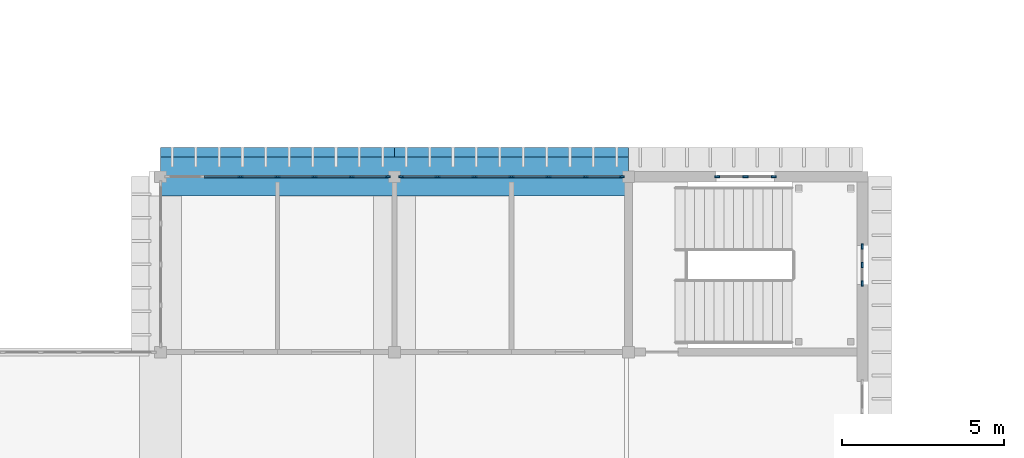
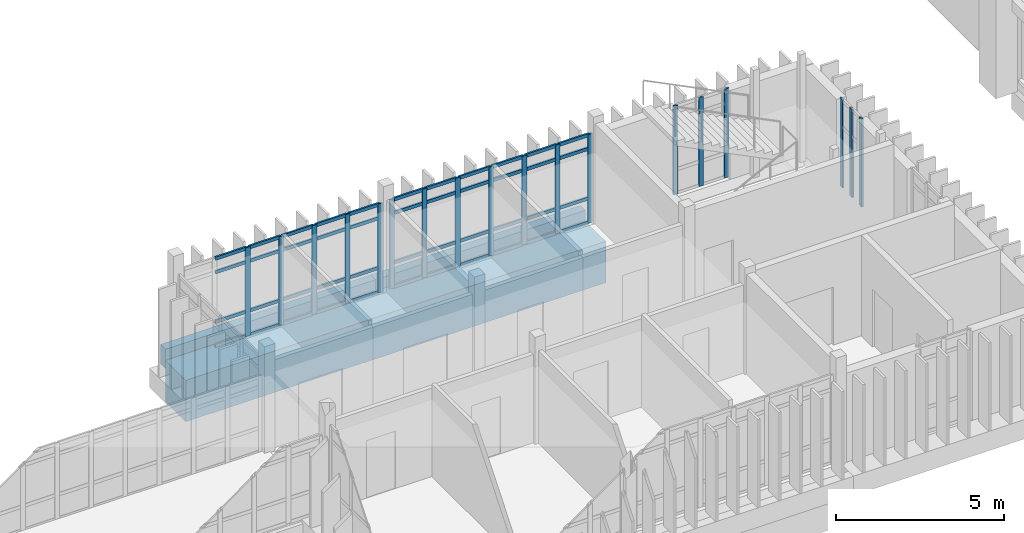
# One storey, part 18 of 69: 64 members, 1 beam, 4 elements without a shape of their own.
"""IFC4 building model written with IfcOpenShell, lengths in metres."""

from ifc_helpers import new_model, si_unit, direction, frame, origin, origin_2d, place, context, subcontext, project, spatial, rectangle, extrude, material, layer, layer_set, material_profile, profile_set, type_object, element, aggregate, save


model = new_model("IFC4")

# Units and contexts
model_context = context("Model", 3, precision=1e-05, world=origin(), true_north=direction((0.0, 1.0)))
body_context = subcontext(model_context, "Body", "Model", "MODEL_VIEW")
ifc_project = project(units=[si_unit("LENGTHUNIT", "METRE"), si_unit("AREAUNIT", "SQUARE_METRE"), si_unit("VOLUMEUNIT", "CUBIC_METRE"), si_unit("PLANEANGLEUNIT", "RADIAN"), si_unit("MASSUNIT", "GRAM", prefix="KILO")], contexts=[model_context])

# Site, building, storey
site_placement = place(None, origin())
site = spatial("IfcSite", under=ifc_project, at=site_placement, CompositionType="ELEMENT")
building_placement = place(site_placement, origin())
building = spatial("IfcBuilding", under=site, at=building_placement, Name="Mazhai Court Health Centre", CompositionType="ELEMENT")
storey_placement = place(building_placement, frame((0.0, 0.0, 6.300048828125)))
storey = spatial("IfcBuildingStorey", under=building, at=storey_placement, Name="L01", CompositionType="ELEMENT", Elevation=6.300048828125)

# Curtain wall, members
ifc_material_1 = material(Name="Teak timber frame, glazed", Category="wood")
ifc_layer_1 = layer(ifc_material_1, 0.10009765625)
ifc_layer_set_1 = layer_set([ifc_layer_1], Name="CURTAIN WALL TIMBER 900")
curtain_wall_type_1 = type_object("IfcCurtainWallType", Name="CURTAIN WALL TIMBER 900", PredefinedType="NOTDEFINED", material=ifc_layer_set_1)
curtain_wall_1_placement = place(storey_placement, origin())
curtain_wall_1 = element("IfcCurtainWall", 1, at=curtain_wall_1_placement, inside=storey, type_object=curtain_wall_type_1, Name="CW-V4-L01-B7", PredefinedType="NOTDEFINED")
ifc_material_2 = material(Name="Teak timber", Category="wood")
ifc_material_profile_1 = material_profile(ifc_material_2, rectangle(XDim=0.06005859375, YDim=0.159912109375, at=origin_2d()), Name="CW MULLION 60x160")
ifc_profile_set_1 = profile_set([ifc_material_profile_1], Name="Teak timber")
member_type_1 = type_object("IfcMemberType", Name="CW MULLION 60x160", PredefinedType="MULLION", material=ifc_profile_set_1)
member_1_placement = place(storey_placement, frame((124.1298828125, 27.800048828125, 0.0), z_axis=(0.0, 0.0, 1.0), x_axis=(0.0, 1.0, 0.0)))
member_1 = element("IfcMember", 2, at=member_1_placement, type_object=member_type_1, Name="CW mullion 1", PredefinedType="MULLION", context=body_context, shape_type="SweptSolid", body=[
    extrude(rectangle(XDim=0.06005859375, YDim=0.159912109375, at=origin_2d()), origin(), (0.0, 0.0, 1.0), 3.219970703125),
])
member_2_placement = place(storey_placement, frame((125.0, 27.800048828125, 0.0), z_axis=(0.0, 0.0, 1.0), x_axis=(0.0, 1.0, 0.0)))
member_2 = element("IfcMember", 3, at=member_2_placement, type_object=member_type_1, Name="CW mullion 2", PredefinedType="MULLION", context=body_context, shape_type="SweptSolid", body=[
    extrude(rectangle(XDim=0.06005859375, YDim=0.159912109375, at=origin_2d()), origin(), (0.0, 0.0, 1.0), 3.219970703125),
])
member_3_placement = place(storey_placement, frame((125.8701171875, 27.800048828125, 0.0), z_axis=(0.0, 0.0, 1.0), x_axis=(0.0, 1.0, 0.0)))
member_3 = element("IfcMember", 4, at=member_3_placement, type_object=member_type_1, Name="CW mullion 3", PredefinedType="MULLION", context=body_context, shape_type="SweptSolid", body=[
    extrude(rectangle(XDim=0.06005859375, YDim=0.159912109375, at=origin_2d()), origin(), (0.0, 0.0, 1.0), 3.219970703125),
])
aggregate(curtain_wall_1, [member_1, member_2, member_3])

ifc_material_3 = material(Name="Teak timber frame, glazed", Category="wood")
ifc_layer_2 = layer(ifc_material_3, 0.10009765625)
ifc_layer_set_2 = layer_set([ifc_layer_2], Name="CURTAIN WALL TIMBER 600")
curtain_wall_type_2 = type_object("IfcCurtainWallType", Name="CURTAIN WALL TIMBER 600", PredefinedType="NOTDEFINED", material=ifc_layer_set_2)
curtain_wall_2_placement = place(storey_placement, origin())
curtain_wall_2 = element("IfcCurtainWall", 5, at=curtain_wall_2_placement, inside=storey, type_object=curtain_wall_type_2, Name="CW-V4-L01-ESTAIR1", PredefinedType="NOTDEFINED")
member_4_placement = place(storey_placement, frame((128.60009765625, 25.64990234375, 0.0), z_axis=(0.0, 0.0, 1.0), x_axis=(1.0, 0.0, 0.0)))
member_4 = element("IfcMember", 6, at=member_4_placement, type_object=member_type_1, Name="CW mullion 1", PredefinedType="MULLION", context=body_context, shape_type="SweptSolid", body=[
    extrude(rectangle(XDim=0.06005859375, YDim=0.159912109375, at=origin_2d()), origin(), (0.0, 0.0, 1.0), 3.199951171875),
])
member_5_placement = place(storey_placement, frame((128.60009765625, 25.080078125, 0.0), z_axis=(0.0, 0.0, 1.0), x_axis=(1.0, 0.0, 0.0)))
member_5 = element("IfcMember", 7, at=member_5_placement, type_object=member_type_1, Name="CW mullion 2", PredefinedType="MULLION", context=body_context, shape_type="SweptSolid", body=[
    extrude(rectangle(XDim=0.06005859375, YDim=0.159912109375, at=origin_2d()), origin(), (0.0, 0.0, 1.0), 3.199951171875),
])
member_6_placement = place(storey_placement, frame((128.60009765625, 24.510009765625, 0.0), z_axis=(0.0, 0.0, 1.0), x_axis=(1.0, 0.0, 0.0)))
member_6 = element("IfcMember", 8, at=member_6_placement, type_object=member_type_1, Name="CW mullion 3", PredefinedType="MULLION", context=body_context, shape_type="SweptSolid", body=[
    extrude(rectangle(XDim=0.06005859375, YDim=0.159912109375, at=origin_2d()), origin(), (0.0, 0.0, 1.0), 3.199951171875),
])
aggregate(curtain_wall_2, [member_4, member_5, member_6])

ifc_material_4 = material(Name="Teak timber frame, glazed", Category="wood")
ifc_layer_3 = layer(ifc_material_4, 0.10009765625)
ifc_layer_set_3 = layer_set([ifc_layer_3], Name="CURTAIN WALL TIMBER 1200")
curtain_wall_type_3 = type_object("IfcCurtainWallType", Name="CURTAIN WALL TIMBER 1200", PredefinedType="NOTDEFINED", material=ifc_layer_set_3)
curtain_wall_3_placement = place(storey_placement, origin())
curtain_wall_3 = element("IfcCurtainWall", 9, at=curtain_wall_3_placement, inside=storey, type_object=curtain_wall_type_3, Name="CW-V4-L01-B5", PredefinedType="NOTDEFINED")
member_7_placement = place(storey_placement, frame((109.4599609375, 27.800048828125, 0.0), z_axis=(0.0, 0.0, 1.0), x_axis=(0.0, 1.0, 0.0)))
member_7 = element("IfcMember", 10, at=member_7_placement, type_object=member_type_1, Name="CW mullion 3", PredefinedType="MULLION", context=body_context, shape_type="SweptSolid", body=[
    extrude(rectangle(XDim=0.06005859375, YDim=0.159912109375, at=origin_2d()), origin(), (0.0, 0.0, 1.0), 3.219970703125),
])
member_8_placement = place(storey_placement, frame((110.60009765625, 27.800048828125, 0.0), z_axis=(0.0, 0.0, 1.0), x_axis=(0.0, 1.0, 0.0)))
member_8 = element("IfcMember", 11, at=member_8_placement, type_object=member_type_1, Name="CW mullion 4", PredefinedType="MULLION", context=body_context, shape_type="SweptSolid", body=[
    extrude(rectangle(XDim=0.06005859375, YDim=0.159912109375, at=origin_2d()), origin(), (0.0, 0.0, 1.0), 3.219970703125),
])
member_9_placement = place(storey_placement, frame((111.739990234375, 27.800048828125, 0.0), z_axis=(0.0, 0.0, 1.0), x_axis=(0.0, 1.0, 0.0)))
member_9 = element("IfcMember", 12, at=member_9_placement, type_object=member_type_1, Name="CW mullion 5", PredefinedType="MULLION", context=body_context, shape_type="SweptSolid", body=[
    extrude(rectangle(XDim=0.06005859375, YDim=0.159912109375, at=origin_2d()), origin(), (0.0, 0.0, 1.0), 3.219970703125),
])
member_10_placement = place(storey_placement, frame((112.8798828125, 27.800048828125, 0.0), z_axis=(0.0, 0.0, 1.0), x_axis=(0.0, 1.0, 0.0)))
member_10 = element("IfcMember", 13, at=member_10_placement, type_object=member_type_1, Name="CW mullion 6", PredefinedType="MULLION", context=body_context, shape_type="SweptSolid", body=[
    extrude(rectangle(XDim=0.06005859375, YDim=0.159912109375, at=origin_2d()), origin(), (0.0, 0.0, 1.0), 3.219970703125),
])
member_11_placement = place(storey_placement, frame((113.989990234375, 27.800048828125, 0.0), z_axis=(0.0, 0.0, 1.0), x_axis=(0.0, 1.0, 0.0)))
member_11 = element("IfcMember", 14, at=member_11_placement, type_object=member_type_1, Name="CW mullion 7", PredefinedType="MULLION", context=body_context, shape_type="SweptSolid", body=[
    extrude(rectangle(XDim=0.06005859375, YDim=0.159912109375, at=origin_2d()), origin(), (0.0, 0.0, 1.0), 3.219970703125),
])

curtain_wall_4_placement = place(storey_placement, origin())
curtain_wall_4 = element("IfcCurtainWall", 15, at=curtain_wall_4_placement, inside=storey, type_object=curtain_wall_type_3, Name="CW-V4-L01-B6", PredefinedType="NOTDEFINED")
member_12_placement = place(storey_placement, frame((114.409912109375, 27.800048828125, 0.0), z_axis=(0.0, 0.0, 1.0), x_axis=(0.0, 1.0, 0.0)))
member_12 = element("IfcMember", 16, at=member_12_placement, type_object=member_type_1, Name="CW mullion 1", PredefinedType="MULLION", context=body_context, shape_type="SweptSolid", body=[
    extrude(rectangle(XDim=0.06005859375, YDim=0.159912109375, at=origin_2d()), origin(), (0.0, 0.0, 1.0), 3.219970703125),
])
member_13_placement = place(storey_placement, frame((115.52001953125, 27.800048828125, 0.0), z_axis=(0.0, 0.0, 1.0), x_axis=(0.0, 1.0, 0.0)))
member_13 = element("IfcMember", 17, at=member_13_placement, type_object=member_type_1, Name="CW mullion 2", PredefinedType="MULLION", context=body_context, shape_type="SweptSolid", body=[
    extrude(rectangle(XDim=0.06005859375, YDim=0.159912109375, at=origin_2d()), origin(), (0.0, 0.0, 1.0), 3.219970703125),
])
member_14_placement = place(storey_placement, frame((116.659912109375, 27.800048828125, 0.0), z_axis=(0.0, 0.0, 1.0), x_axis=(0.0, 1.0, 0.0)))
member_14 = element("IfcMember", 18, at=member_14_placement, type_object=member_type_1, Name="CW mullion 3", PredefinedType="MULLION", context=body_context, shape_type="SweptSolid", body=[
    extrude(rectangle(XDim=0.06005859375, YDim=0.159912109375, at=origin_2d()), origin(), (0.0, 0.0, 1.0), 3.219970703125),
])
member_15_placement = place(storey_placement, frame((117.800048828125, 27.800048828125, 0.0), z_axis=(0.0, 0.0, 1.0), x_axis=(0.0, 1.0, 0.0)))
member_15 = element("IfcMember", 19, at=member_15_placement, type_object=member_type_1, Name="CW mullion 4", PredefinedType="MULLION", context=body_context, shape_type="SweptSolid", body=[
    extrude(rectangle(XDim=0.06005859375, YDim=0.159912109375, at=origin_2d()), origin(), (0.0, 0.0, 1.0), 3.219970703125),
])
member_16_placement = place(storey_placement, frame((118.93994140625, 27.800048828125, 0.0), z_axis=(0.0, 0.0, 1.0), x_axis=(0.0, 1.0, 0.0)))
member_16 = element("IfcMember", 20, at=member_16_placement, type_object=member_type_1, Name="CW mullion 5", PredefinedType="MULLION", context=body_context, shape_type="SweptSolid", body=[
    extrude(rectangle(XDim=0.06005859375, YDim=0.159912109375, at=origin_2d()), origin(), (0.0, 0.0, 1.0), 3.219970703125),
])
member_17_placement = place(storey_placement, frame((120.080078125, 27.800048828125, 0.0), z_axis=(0.0, 0.0, 1.0), x_axis=(0.0, 1.0, 0.0)))
member_17 = element("IfcMember", 21, at=member_17_placement, type_object=member_type_1, Name="CW mullion 6", PredefinedType="MULLION", context=body_context, shape_type="SweptSolid", body=[
    extrude(rectangle(XDim=0.06005859375, YDim=0.159912109375, at=origin_2d()), origin(), (0.0, 0.0, 1.0), 3.219970703125),
])
member_18_placement = place(storey_placement, frame((121.18994140625, 27.800048828125, 0.0), z_axis=(0.0, 0.0, 1.0), x_axis=(0.0, 1.0, 0.0)))
member_18 = element("IfcMember", 22, at=member_18_placement, type_object=member_type_1, Name="CW mullion 7", PredefinedType="MULLION", context=body_context, shape_type="SweptSolid", body=[
    extrude(rectangle(XDim=0.06005859375, YDim=0.159912109375, at=origin_2d()), origin(), (0.0, 0.0, 1.0), 3.219970703125),
])

# Member
ifc_material_5 = material(Name="Teak timber", Category="wood")
ifc_material_profile_2 = material_profile(ifc_material_5, rectangle(XDim=0.06005859375, YDim=0.1201171875, at=origin_2d()), Name="CW TRANSOM 60x120")
ifc_profile_set_2 = profile_set([ifc_material_profile_2], Name="Teak timber")
member_type_2 = type_object("IfcMemberType", Name="CW TRANSOM 60x120", PredefinedType="USERDEFINED", material=ifc_profile_set_2)
member_19_placement = place(storey_placement, frame((108.35009765625, 27.800048828125, 0.030029296875), z_axis=(1.0, 0.0, 0.0), x_axis=(0.0, 1.0, 0.0)))
member_19 = element("IfcMember", 23, at=member_19_placement, type_object=member_type_2, Name="CW transom 2.1", ObjectType="TRANSOM", PredefinedType="USERDEFINED", context=body_context, shape_type="SweptSolid", body=[
    extrude(rectangle(XDim=0.06005859375, YDim=0.1201171875, at=origin_2d()), origin(), (0.0, 0.0, 1.0), 1.079833984375),
])

member_20_placement = place(storey_placement, frame((108.35009765625, 27.800048828125, 0.89990234375), z_axis=(1.0, 0.0, 0.0), x_axis=(0.0, 1.0, 0.0)))
member_20 = element("IfcMember", 24, at=member_20_placement, type_object=member_type_2, Name="CW transom 2.2", ObjectType="TRANSOM", PredefinedType="USERDEFINED", context=body_context, shape_type="SweptSolid", body=[
    extrude(rectangle(XDim=0.06005859375, YDim=0.1201171875, at=origin_2d()), origin(), (0.0, 0.0, 1.0), 1.079833984375),
])

member_21_placement = place(storey_placement, frame((108.35009765625, 27.800048828125, 2.699951171875), z_axis=(1.0, 0.0, 0.0), x_axis=(0.0, 1.0, 0.0)))
member_21 = element("IfcMember", 25, at=member_21_placement, type_object=member_type_2, Name="CW transom 2.3", ObjectType="TRANSOM", PredefinedType="USERDEFINED", context=body_context, shape_type="SweptSolid", body=[
    extrude(rectangle(XDim=0.06005859375, YDim=0.1201171875, at=origin_2d()), origin(), (0.0, 0.0, 1.0), 1.079833984375),
])

member_22_placement = place(storey_placement, frame((108.35009765625, 27.800048828125, 3.18994140625), z_axis=(1.0, 0.0, 0.0), x_axis=(0.0, 1.0, 0.0)))
member_22 = element("IfcMember", 26, at=member_22_placement, type_object=member_type_2, Name="CW transom 2.4", ObjectType="TRANSOM", PredefinedType="USERDEFINED", context=body_context, shape_type="SweptSolid", body=[
    extrude(rectangle(XDim=0.06005859375, YDim=0.1201171875, at=origin_2d()), origin(), (0.0, 0.0, 1.0), 1.079833984375),
])

member_23_placement = place(storey_placement, frame((109.489990234375, 27.800048828125, 0.030029296875), z_axis=(1.0, 0.0, 0.0), x_axis=(0.0, 1.0, 0.0)))
member_23 = element("IfcMember", 27, at=member_23_placement, type_object=member_type_2, Name="CW transom 3.1", ObjectType="TRANSOM", PredefinedType="USERDEFINED", context=body_context, shape_type="SweptSolid", body=[
    extrude(rectangle(XDim=0.06005859375, YDim=0.1201171875, at=origin_2d()), origin(), (0.0, 0.0, 1.0), 1.080078125),
])

member_24_placement = place(storey_placement, frame((109.489990234375, 27.800048828125, 0.89990234375), z_axis=(1.0, 0.0, 0.0), x_axis=(0.0, 1.0, 0.0)))
member_24 = element("IfcMember", 28, at=member_24_placement, type_object=member_type_2, Name="CW transom 3.2", ObjectType="TRANSOM", PredefinedType="USERDEFINED", context=body_context, shape_type="SweptSolid", body=[
    extrude(rectangle(XDim=0.06005859375, YDim=0.1201171875, at=origin_2d()), origin(), (0.0, 0.0, 1.0), 1.080078125),
])

member_25_placement = place(storey_placement, frame((109.489990234375, 27.800048828125, 2.699951171875), z_axis=(1.0, 0.0, 0.0), x_axis=(0.0, 1.0, 0.0)))
member_25 = element("IfcMember", 29, at=member_25_placement, type_object=member_type_2, Name="CW transom 3.3", ObjectType="TRANSOM", PredefinedType="USERDEFINED", context=body_context, shape_type="SweptSolid", body=[
    extrude(rectangle(XDim=0.06005859375, YDim=0.1201171875, at=origin_2d()), origin(), (0.0, 0.0, 1.0), 1.080078125),
])

member_26_placement = place(storey_placement, frame((109.489990234375, 27.800048828125, 3.18994140625), z_axis=(1.0, 0.0, 0.0), x_axis=(0.0, 1.0, 0.0)))
member_26 = element("IfcMember", 30, at=member_26_placement, type_object=member_type_2, Name="CW transom 3.4", ObjectType="TRANSOM", PredefinedType="USERDEFINED", context=body_context, shape_type="SweptSolid", body=[
    extrude(rectangle(XDim=0.06005859375, YDim=0.1201171875, at=origin_2d()), origin(), (0.0, 0.0, 1.0), 1.080078125),
])

member_27_placement = place(storey_placement, frame((110.6298828125, 27.800048828125, 0.030029296875), z_axis=(1.0, 0.0, 0.0), x_axis=(0.0, 1.0, 0.0)))
member_27 = element("IfcMember", 31, at=member_27_placement, type_object=member_type_2, Name="CW transom 4.1", ObjectType="TRANSOM", PredefinedType="USERDEFINED", context=body_context, shape_type="SweptSolid", body=[
    extrude(rectangle(XDim=0.06005859375, YDim=0.1201171875, at=origin_2d()), origin(), (0.0, 0.0, 1.0), 1.080078125),
])

member_28_placement = place(storey_placement, frame((110.6298828125, 27.800048828125, 0.89990234375), z_axis=(1.0, 0.0, 0.0), x_axis=(0.0, 1.0, 0.0)))
member_28 = element("IfcMember", 32, at=member_28_placement, type_object=member_type_2, Name="CW transom 4.2", ObjectType="TRANSOM", PredefinedType="USERDEFINED", context=body_context, shape_type="SweptSolid", body=[
    extrude(rectangle(XDim=0.06005859375, YDim=0.1201171875, at=origin_2d()), origin(), (0.0, 0.0, 1.0), 1.080078125),
])

member_29_placement = place(storey_placement, frame((110.6298828125, 27.800048828125, 2.699951171875), z_axis=(1.0, 0.0, 0.0), x_axis=(0.0, 1.0, 0.0)))
member_29 = element("IfcMember", 33, at=member_29_placement, type_object=member_type_2, Name="CW transom 4.3", ObjectType="TRANSOM", PredefinedType="USERDEFINED", context=body_context, shape_type="SweptSolid", body=[
    extrude(rectangle(XDim=0.06005859375, YDim=0.1201171875, at=origin_2d()), origin(), (0.0, 0.0, 1.0), 1.080078125),
])

member_30_placement = place(storey_placement, frame((110.6298828125, 27.800048828125, 3.18994140625), z_axis=(1.0, 0.0, 0.0), x_axis=(0.0, 1.0, 0.0)))
member_30 = element("IfcMember", 34, at=member_30_placement, type_object=member_type_2, Name="CW transom 4.4", ObjectType="TRANSOM", PredefinedType="USERDEFINED", context=body_context, shape_type="SweptSolid", body=[
    extrude(rectangle(XDim=0.06005859375, YDim=0.1201171875, at=origin_2d()), origin(), (0.0, 0.0, 1.0), 1.080078125),
])

member_31_placement = place(storey_placement, frame((111.77001953125, 27.800048828125, 0.030029296875), z_axis=(1.0, 0.0, 0.0), x_axis=(0.0, 1.0, 0.0)))
member_31 = element("IfcMember", 35, at=member_31_placement, type_object=member_type_2, Name="CW transom 5.1", ObjectType="TRANSOM", PredefinedType="USERDEFINED", context=body_context, shape_type="SweptSolid", body=[
    extrude(rectangle(XDim=0.06005859375, YDim=0.1201171875, at=origin_2d()), origin(), (0.0, 0.0, 1.0), 1.080078125),
])

member_32_placement = place(storey_placement, frame((111.77001953125, 27.800048828125, 0.89990234375), z_axis=(1.0, 0.0, 0.0), x_axis=(0.0, 1.0, 0.0)))
member_32 = element("IfcMember", 36, at=member_32_placement, type_object=member_type_2, Name="CW transom 5.2", ObjectType="TRANSOM", PredefinedType="USERDEFINED", context=body_context, shape_type="SweptSolid", body=[
    extrude(rectangle(XDim=0.06005859375, YDim=0.1201171875, at=origin_2d()), origin(), (0.0, 0.0, 1.0), 1.080078125),
])

member_33_placement = place(storey_placement, frame((111.77001953125, 27.800048828125, 2.699951171875), z_axis=(1.0, 0.0, 0.0), x_axis=(0.0, 1.0, 0.0)))
member_33 = element("IfcMember", 37, at=member_33_placement, type_object=member_type_2, Name="CW transom 5.3", ObjectType="TRANSOM", PredefinedType="USERDEFINED", context=body_context, shape_type="SweptSolid", body=[
    extrude(rectangle(XDim=0.06005859375, YDim=0.1201171875, at=origin_2d()), origin(), (0.0, 0.0, 1.0), 1.080078125),
])

member_34_placement = place(storey_placement, frame((111.77001953125, 27.800048828125, 3.18994140625), z_axis=(1.0, 0.0, 0.0), x_axis=(0.0, 1.0, 0.0)))
member_34 = element("IfcMember", 38, at=member_34_placement, type_object=member_type_2, Name="CW transom 5.4", ObjectType="TRANSOM", PredefinedType="USERDEFINED", context=body_context, shape_type="SweptSolid", body=[
    extrude(rectangle(XDim=0.06005859375, YDim=0.1201171875, at=origin_2d()), origin(), (0.0, 0.0, 1.0), 1.080078125),
])

member_35_placement = place(storey_placement, frame((112.909912109375, 27.800048828125, 0.030029296875), z_axis=(1.0, 0.0, 0.0), x_axis=(0.0, 1.0, 0.0)))
member_35 = element("IfcMember", 39, at=member_35_placement, type_object=member_type_2, Name="CW transom 6.1", ObjectType="TRANSOM", PredefinedType="USERDEFINED", context=body_context, shape_type="SweptSolid", body=[
    extrude(rectangle(XDim=0.06005859375, YDim=0.1201171875, at=origin_2d()), origin(), (0.0, 0.0, 1.0), 1.050048828125),
])

member_36_placement = place(storey_placement, frame((112.909912109375, 27.800048828125, 0.89990234375), z_axis=(1.0, 0.0, 0.0), x_axis=(0.0, 1.0, 0.0)))
member_36 = element("IfcMember", 40, at=member_36_placement, type_object=member_type_2, Name="CW transom 6.2", ObjectType="TRANSOM", PredefinedType="USERDEFINED", context=body_context, shape_type="SweptSolid", body=[
    extrude(rectangle(XDim=0.06005859375, YDim=0.1201171875, at=origin_2d()), origin(), (0.0, 0.0, 1.0), 1.050048828125),
])

member_37_placement = place(storey_placement, frame((112.909912109375, 27.800048828125, 2.699951171875), z_axis=(1.0, 0.0, 0.0), x_axis=(0.0, 1.0, 0.0)))
member_37 = element("IfcMember", 41, at=member_37_placement, type_object=member_type_2, Name="CW transom 6.3", ObjectType="TRANSOM", PredefinedType="USERDEFINED", context=body_context, shape_type="SweptSolid", body=[
    extrude(rectangle(XDim=0.06005859375, YDim=0.1201171875, at=origin_2d()), origin(), (0.0, 0.0, 1.0), 1.050048828125),
])

member_38_placement = place(storey_placement, frame((112.909912109375, 27.800048828125, 3.18994140625), z_axis=(1.0, 0.0, 0.0), x_axis=(0.0, 1.0, 0.0)))
member_38 = element("IfcMember", 42, at=member_38_placement, type_object=member_type_2, Name="CW transom 6.4", ObjectType="TRANSOM", PredefinedType="USERDEFINED", context=body_context, shape_type="SweptSolid", body=[
    extrude(rectangle(XDim=0.06005859375, YDim=0.1201171875, at=origin_2d()), origin(), (0.0, 0.0, 1.0), 1.050048828125),
])

aggregate(curtain_wall_3, [member_7, member_8, member_9, member_10, member_11, member_19, member_20, member_21, member_22, member_23, member_24, member_25, member_26, member_27, member_28, member_29, member_30, member_31, member_32, member_33, member_34, member_35, member_36, member_37, member_38])

member_39_placement = place(storey_placement, frame((114.43994140625, 27.800048828125, 0.030029296875), z_axis=(1.0, 0.0, 0.0), x_axis=(0.0, 1.0, 0.0)))
member_39 = element("IfcMember", 43, at=member_39_placement, type_object=member_type_2, Name="CW transom 1.1", ObjectType="TRANSOM", PredefinedType="USERDEFINED", context=body_context, shape_type="SweptSolid", body=[
    extrude(rectangle(XDim=0.06005859375, YDim=0.1201171875, at=origin_2d()), origin(), (0.0, 0.0, 1.0), 1.050048828125),
])

member_40_placement = place(storey_placement, frame((114.43994140625, 27.800048828125, 0.89990234375), z_axis=(1.0, 0.0, 0.0), x_axis=(0.0, 1.0, 0.0)))
member_40 = element("IfcMember", 44, at=member_40_placement, type_object=member_type_2, Name="CW transom 1.2", ObjectType="TRANSOM", PredefinedType="USERDEFINED", context=body_context, shape_type="SweptSolid", body=[
    extrude(rectangle(XDim=0.06005859375, YDim=0.1201171875, at=origin_2d()), origin(), (0.0, 0.0, 1.0), 1.050048828125),
])

member_41_placement = place(storey_placement, frame((114.43994140625, 27.800048828125, 2.699951171875), z_axis=(1.0, 0.0, 0.0), x_axis=(0.0, 1.0, 0.0)))
member_41 = element("IfcMember", 45, at=member_41_placement, type_object=member_type_2, Name="CW transom 1.3", ObjectType="TRANSOM", PredefinedType="USERDEFINED", context=body_context, shape_type="SweptSolid", body=[
    extrude(rectangle(XDim=0.06005859375, YDim=0.1201171875, at=origin_2d()), origin(), (0.0, 0.0, 1.0), 1.050048828125),
])

member_42_placement = place(storey_placement, frame((114.43994140625, 27.800048828125, 3.18994140625), z_axis=(1.0, 0.0, 0.0), x_axis=(0.0, 1.0, 0.0)))
member_42 = element("IfcMember", 46, at=member_42_placement, type_object=member_type_2, Name="CW transom 1.4", ObjectType="TRANSOM", PredefinedType="USERDEFINED", context=body_context, shape_type="SweptSolid", body=[
    extrude(rectangle(XDim=0.06005859375, YDim=0.1201171875, at=origin_2d()), origin(), (0.0, 0.0, 1.0), 1.050048828125),
])

member_43_placement = place(storey_placement, frame((115.550048828125, 27.800048828125, 0.030029296875), z_axis=(1.0, 0.0, 0.0), x_axis=(0.0, 1.0, 0.0)))
member_43 = element("IfcMember", 47, at=member_43_placement, type_object=member_type_2, Name="CW transom 2.1", ObjectType="TRANSOM", PredefinedType="USERDEFINED", context=body_context, shape_type="SweptSolid", body=[
    extrude(rectangle(XDim=0.06005859375, YDim=0.1201171875, at=origin_2d()), origin(), (0.0, 0.0, 1.0), 1.079833984375),
])

member_44_placement = place(storey_placement, frame((115.550048828125, 27.800048828125, 0.89990234375), z_axis=(1.0, 0.0, 0.0), x_axis=(0.0, 1.0, 0.0)))
member_44 = element("IfcMember", 48, at=member_44_placement, type_object=member_type_2, Name="CW transom 2.2", ObjectType="TRANSOM", PredefinedType="USERDEFINED", context=body_context, shape_type="SweptSolid", body=[
    extrude(rectangle(XDim=0.06005859375, YDim=0.1201171875, at=origin_2d()), origin(), (0.0, 0.0, 1.0), 1.079833984375),
])

member_45_placement = place(storey_placement, frame((115.550048828125, 27.800048828125, 2.699951171875), z_axis=(1.0, 0.0, 0.0), x_axis=(0.0, 1.0, 0.0)))
member_45 = element("IfcMember", 49, at=member_45_placement, type_object=member_type_2, Name="CW transom 2.3", ObjectType="TRANSOM", PredefinedType="USERDEFINED", context=body_context, shape_type="SweptSolid", body=[
    extrude(rectangle(XDim=0.06005859375, YDim=0.1201171875, at=origin_2d()), origin(), (0.0, 0.0, 1.0), 1.079833984375),
])

member_46_placement = place(storey_placement, frame((115.550048828125, 27.800048828125, 3.18994140625), z_axis=(1.0, 0.0, 0.0), x_axis=(0.0, 1.0, 0.0)))
member_46 = element("IfcMember", 50, at=member_46_placement, type_object=member_type_2, Name="CW transom 2.4", ObjectType="TRANSOM", PredefinedType="USERDEFINED", context=body_context, shape_type="SweptSolid", body=[
    extrude(rectangle(XDim=0.06005859375, YDim=0.1201171875, at=origin_2d()), origin(), (0.0, 0.0, 1.0), 1.079833984375),
])

member_47_placement = place(storey_placement, frame((116.68994140625, 27.800048828125, 0.030029296875), z_axis=(1.0, 0.0, 0.0), x_axis=(0.0, 1.0, 0.0)))
member_47 = element("IfcMember", 51, at=member_47_placement, type_object=member_type_2, Name="CW transom 3.1", ObjectType="TRANSOM", PredefinedType="USERDEFINED", context=body_context, shape_type="SweptSolid", body=[
    extrude(rectangle(XDim=0.06005859375, YDim=0.1201171875, at=origin_2d()), origin(), (0.0, 0.0, 1.0), 1.080078125),
])

member_48_placement = place(storey_placement, frame((116.68994140625, 27.800048828125, 0.89990234375), z_axis=(1.0, 0.0, 0.0), x_axis=(0.0, 1.0, 0.0)))
member_48 = element("IfcMember", 52, at=member_48_placement, type_object=member_type_2, Name="CW transom 3.2", ObjectType="TRANSOM", PredefinedType="USERDEFINED", context=body_context, shape_type="SweptSolid", body=[
    extrude(rectangle(XDim=0.06005859375, YDim=0.1201171875, at=origin_2d()), origin(), (0.0, 0.0, 1.0), 1.080078125),
])

member_49_placement = place(storey_placement, frame((116.68994140625, 27.800048828125, 2.699951171875), z_axis=(1.0, 0.0, 0.0), x_axis=(0.0, 1.0, 0.0)))
member_49 = element("IfcMember", 53, at=member_49_placement, type_object=member_type_2, Name="CW transom 3.3", ObjectType="TRANSOM", PredefinedType="USERDEFINED", context=body_context, shape_type="SweptSolid", body=[
    extrude(rectangle(XDim=0.06005859375, YDim=0.1201171875, at=origin_2d()), origin(), (0.0, 0.0, 1.0), 1.080078125),
])

member_50_placement = place(storey_placement, frame((116.68994140625, 27.800048828125, 3.18994140625), z_axis=(1.0, 0.0, 0.0), x_axis=(0.0, 1.0, 0.0)))
member_50 = element("IfcMember", 54, at=member_50_placement, type_object=member_type_2, Name="CW transom 3.4", ObjectType="TRANSOM", PredefinedType="USERDEFINED", context=body_context, shape_type="SweptSolid", body=[
    extrude(rectangle(XDim=0.06005859375, YDim=0.1201171875, at=origin_2d()), origin(), (0.0, 0.0, 1.0), 1.080078125),
])

member_51_placement = place(storey_placement, frame((117.830078125, 27.800048828125, 0.030029296875), z_axis=(1.0, 0.0, 0.0), x_axis=(0.0, 1.0, 0.0)))
member_51 = element("IfcMember", 55, at=member_51_placement, type_object=member_type_2, Name="CW transom 4.1", ObjectType="TRANSOM", PredefinedType="USERDEFINED", context=body_context, shape_type="SweptSolid", body=[
    extrude(rectangle(XDim=0.06005859375, YDim=0.1201171875, at=origin_2d()), origin(), (0.0, 0.0, 1.0), 1.079833984375),
])

member_52_placement = place(storey_placement, frame((117.830078125, 27.800048828125, 0.89990234375), z_axis=(1.0, 0.0, 0.0), x_axis=(0.0, 1.0, 0.0)))
member_52 = element("IfcMember", 56, at=member_52_placement, type_object=member_type_2, Name="CW transom 4.2", ObjectType="TRANSOM", PredefinedType="USERDEFINED", context=body_context, shape_type="SweptSolid", body=[
    extrude(rectangle(XDim=0.06005859375, YDim=0.1201171875, at=origin_2d()), origin(), (0.0, 0.0, 1.0), 1.079833984375),
])

member_53_placement = place(storey_placement, frame((117.830078125, 27.800048828125, 2.699951171875), z_axis=(1.0, 0.0, 0.0), x_axis=(0.0, 1.0, 0.0)))
member_53 = element("IfcMember", 57, at=member_53_placement, type_object=member_type_2, Name="CW transom 4.3", ObjectType="TRANSOM", PredefinedType="USERDEFINED", context=body_context, shape_type="SweptSolid", body=[
    extrude(rectangle(XDim=0.06005859375, YDim=0.1201171875, at=origin_2d()), origin(), (0.0, 0.0, 1.0), 1.079833984375),
])

member_54_placement = place(storey_placement, frame((117.830078125, 27.800048828125, 3.18994140625), z_axis=(1.0, 0.0, 0.0), x_axis=(0.0, 1.0, 0.0)))
member_54 = element("IfcMember", 58, at=member_54_placement, type_object=member_type_2, Name="CW transom 4.4", ObjectType="TRANSOM", PredefinedType="USERDEFINED", context=body_context, shape_type="SweptSolid", body=[
    extrude(rectangle(XDim=0.06005859375, YDim=0.1201171875, at=origin_2d()), origin(), (0.0, 0.0, 1.0), 1.079833984375),
])

member_55_placement = place(storey_placement, frame((118.969970703125, 27.800048828125, 0.030029296875), z_axis=(1.0, 0.0, 0.0), x_axis=(0.0, 1.0, 0.0)))
member_55 = element("IfcMember", 59, at=member_55_placement, type_object=member_type_2, Name="CW transom 5.1", ObjectType="TRANSOM", PredefinedType="USERDEFINED", context=body_context, shape_type="SweptSolid", body=[
    extrude(rectangle(XDim=0.06005859375, YDim=0.1201171875, at=origin_2d()), origin(), (0.0, 0.0, 1.0), 1.080078125),
])

member_56_placement = place(storey_placement, frame((118.969970703125, 27.800048828125, 0.89990234375), z_axis=(1.0, 0.0, 0.0), x_axis=(0.0, 1.0, 0.0)))
member_56 = element("IfcMember", 60, at=member_56_placement, type_object=member_type_2, Name="CW transom 5.2", ObjectType="TRANSOM", PredefinedType="USERDEFINED", context=body_context, shape_type="SweptSolid", body=[
    extrude(rectangle(XDim=0.06005859375, YDim=0.1201171875, at=origin_2d()), origin(), (0.0, 0.0, 1.0), 1.080078125),
])

member_57_placement = place(storey_placement, frame((118.969970703125, 27.800048828125, 2.699951171875), z_axis=(1.0, 0.0, 0.0), x_axis=(0.0, 1.0, 0.0)))
member_57 = element("IfcMember", 61, at=member_57_placement, type_object=member_type_2, Name="CW transom 5.3", ObjectType="TRANSOM", PredefinedType="USERDEFINED", context=body_context, shape_type="SweptSolid", body=[
    extrude(rectangle(XDim=0.06005859375, YDim=0.1201171875, at=origin_2d()), origin(), (0.0, 0.0, 1.0), 1.080078125),
])

member_58_placement = place(storey_placement, frame((118.969970703125, 27.800048828125, 3.18994140625), z_axis=(1.0, 0.0, 0.0), x_axis=(0.0, 1.0, 0.0)))
member_58 = element("IfcMember", 62, at=member_58_placement, type_object=member_type_2, Name="CW transom 5.4", ObjectType="TRANSOM", PredefinedType="USERDEFINED", context=body_context, shape_type="SweptSolid", body=[
    extrude(rectangle(XDim=0.06005859375, YDim=0.1201171875, at=origin_2d()), origin(), (0.0, 0.0, 1.0), 1.080078125),
])

member_59_placement = place(storey_placement, frame((120.110107421875, 27.800048828125, 0.030029296875), z_axis=(1.0, 0.0, 0.0), x_axis=(0.0, 1.0, 0.0)))
member_59 = element("IfcMember", 63, at=member_59_placement, type_object=member_type_2, Name="CW transom 6.1", ObjectType="TRANSOM", PredefinedType="USERDEFINED", context=body_context, shape_type="SweptSolid", body=[
    extrude(rectangle(XDim=0.06005859375, YDim=0.1201171875, at=origin_2d()), origin(), (0.0, 0.0, 1.0), 1.0498046875),
])

member_60_placement = place(storey_placement, frame((120.110107421875, 27.800048828125, 0.89990234375), z_axis=(1.0, 0.0, 0.0), x_axis=(0.0, 1.0, 0.0)))
member_60 = element("IfcMember", 64, at=member_60_placement, type_object=member_type_2, Name="CW transom 6.2", ObjectType="TRANSOM", PredefinedType="USERDEFINED", context=body_context, shape_type="SweptSolid", body=[
    extrude(rectangle(XDim=0.06005859375, YDim=0.1201171875, at=origin_2d()), origin(), (0.0, 0.0, 1.0), 1.0498046875),
])

member_61_placement = place(storey_placement, frame((120.110107421875, 27.800048828125, 2.699951171875), z_axis=(1.0, 0.0, 0.0), x_axis=(0.0, 1.0, 0.0)))
member_61 = element("IfcMember", 65, at=member_61_placement, type_object=member_type_2, Name="CW transom 6.3", ObjectType="TRANSOM", PredefinedType="USERDEFINED", context=body_context, shape_type="SweptSolid", body=[
    extrude(rectangle(XDim=0.06005859375, YDim=0.1201171875, at=origin_2d()), origin(), (0.0, 0.0, 1.0), 1.0498046875),
])

member_62_placement = place(storey_placement, frame((120.110107421875, 27.800048828125, 3.18994140625), z_axis=(1.0, 0.0, 0.0), x_axis=(0.0, 1.0, 0.0)))
member_62 = element("IfcMember", 66, at=member_62_placement, type_object=member_type_2, Name="CW transom 6.4", ObjectType="TRANSOM", PredefinedType="USERDEFINED", context=body_context, shape_type="SweptSolid", body=[
    extrude(rectangle(XDim=0.06005859375, YDim=0.1201171875, at=origin_2d()), origin(), (0.0, 0.0, 1.0), 1.0498046875),
])

aggregate(curtain_wall_4, [member_12, member_13, member_14, member_15, member_16, member_17, member_18, member_39, member_40, member_41, member_42, member_43, member_44, member_45, member_46, member_47, member_48, member_49, member_50, member_51, member_52, member_53, member_54, member_55, member_56, member_57, member_58, member_59, member_60, member_61, member_62])

# Members
ifc_material_6 = material(Name="Glulam GL24h", Category="wood")
ifc_material_profile_3 = material_profile(ifc_material_6, rectangle(XDim=0.300048828125, YDim=0.699951171875, at=origin_2d()), Name="FIN RAIL 300x700")
ifc_profile_set_3 = profile_set([ifc_material_profile_3], Name="Glulam GL24h")
member_type_3 = type_object("IfcMemberType", Name="FIN RAIL 300x700", PredefinedType="USERDEFINED", material=ifc_profile_set_3)
for number, where, z_axis, x_axis, name in (
    (67, (107.0, 28.550048828125, -0.35009765625), (1.0, 0.0, 0.0), (0.0, 1.0, 0.0), "FR-V4-B3-L01"),
    (68, (114.199951171875, 28.550048828125, -0.35009765625), (1.0, 0.0, 0.0), (0.0, 1.0, 0.0), "FR-V4-B4-L01"),
):
    element("IfcMember", number, at=place(storey_placement, frame(where, z_axis=z_axis, x_axis=x_axis)), inside=storey, type_object=member_type_3, Name=name, ObjectType="FIN RAIL", PredefinedType="USERDEFINED", context=body_context, shape_type="SweptSolid", body=[
        extrude(rectangle(XDim=0.300048828125, YDim=0.699951171875, at=origin_2d()), origin(), (0.0, 0.0, 1.0), 7.199951171875),
    ])

# Beam
ifc_material_7 = material(Name="Concrete M40", Category="concrete")
ifc_material_profile_4 = material_profile(ifc_material_7, rectangle(XDim=1.199951171875, YDim=1.5, at=origin_2d()), Name="RC 1200x1500")
ifc_profile_set_4 = profile_set([ifc_material_profile_4], Name="Concrete M40")
beam_type = type_object("IfcBeamType", Name="RC TRANSFER GIRDER 1200x1500 M40", PredefinedType="BEAM", material=ifc_profile_set_4)
beam_placement = place(storey_placement, frame((107.0, 27.800048828125, -1.150146484375), z_axis=(1.0, 0.0, 0.0), x_axis=(0.0, 1.0, 0.0)))
element("IfcBeam", 69, at=beam_placement, inside=storey, type_object=beam_type, Name="beam-V4-L01-girder-EN", PredefinedType="BEAM", context=body_context, shape_type="SweptSolid", body=[
    extrude(rectangle(XDim=1.199951171875, YDim=1.5, at=origin_2d()), origin(), (0.0, 0.0, 1.0), 14.39990234375),
])

save(model, "model.ifc")
